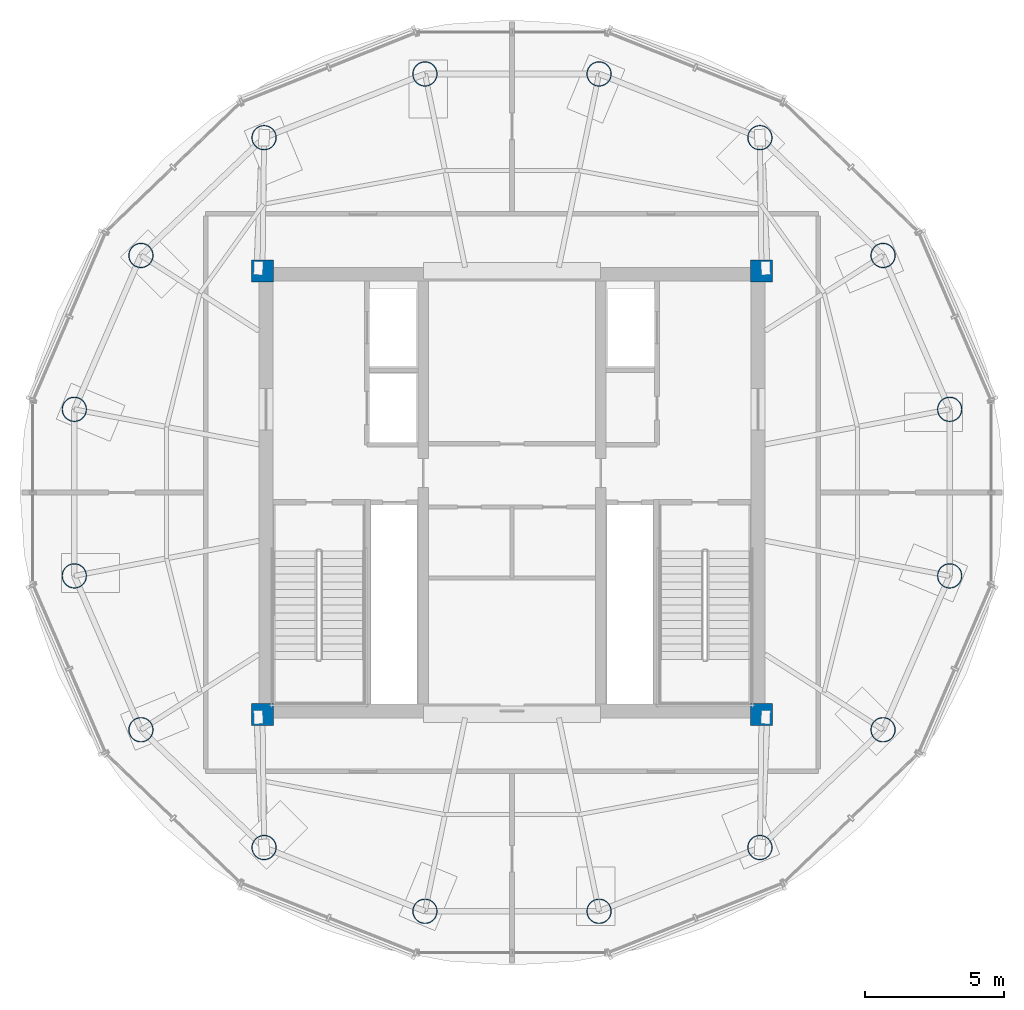
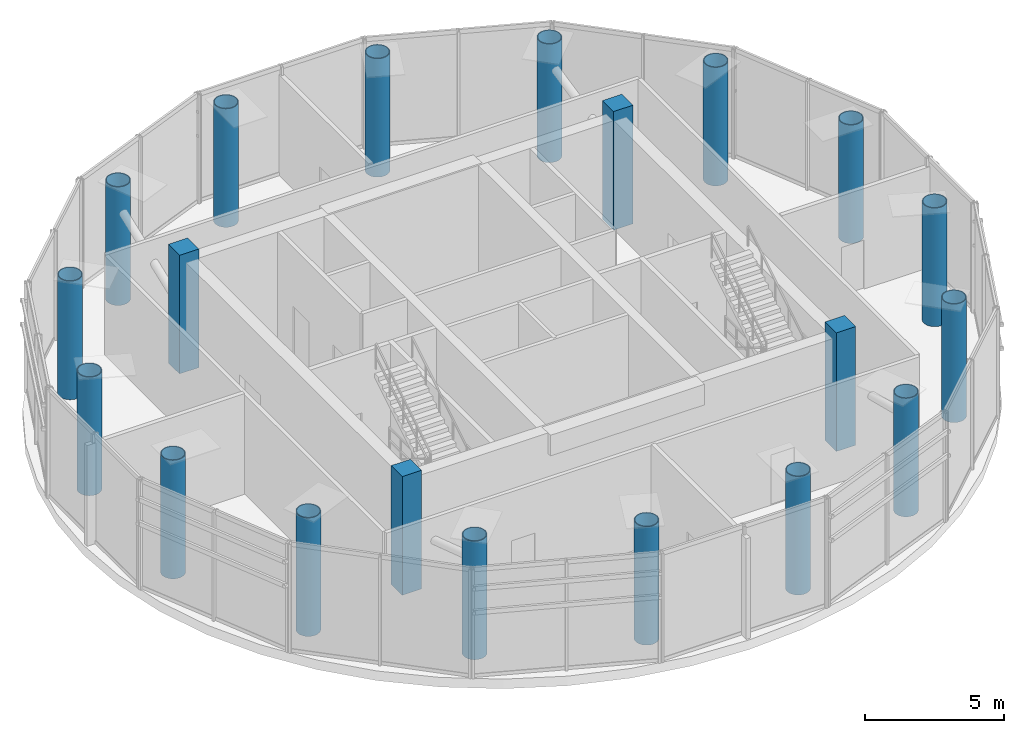
# One storey, part 1 of 15: 20 columns.
"""IFC4 building model written with IfcOpenShell, lengths in metres."""

from ifc_helpers import new_model, si_unit, direction, frame, origin, origin_2d, place, context, subcontext, project, spatial, rectangle, hollow_circle, extrude, material, material_profile, profile_set, type_object, element, save


model = new_model("IFC4")

# Units and contexts
model_context = context("Model", 3, precision=1e-05, world=origin(), true_north=direction((-0.2419218956, 0.970295726276)))
body_context = subcontext(model_context, "Body", "Model", "MODEL_VIEW")
ifc_project = project(units=[si_unit("LENGTHUNIT", "METRE"), si_unit("AREAUNIT", "SQUARE_METRE"), si_unit("VOLUMEUNIT", "CUBIC_METRE"), si_unit("PLANEANGLEUNIT", "RADIAN"), si_unit("MASSUNIT", "GRAM", prefix="KILO")], contexts=[model_context])

# Site, building, storey
site_placement = place(None, origin())
site = spatial("IfcSite", under=ifc_project, at=site_placement, CompositionType="ELEMENT")
building_placement = place(site_placement, origin())
building = spatial("IfcBuilding", under=site, at=building_placement, Name="Cobrevalo Terracotta Tower", CompositionType="ELEMENT")
storey_placement = place(building_placement, frame((0.0, 0.0, 316.5)))
storey = spatial("IfcBuildingStorey", under=building, at=storey_placement, Name="L82", CompositionType="ELEMENT", Elevation=316.5)

# Columns
ifc_material_1 = material(Name="Steel S355", Category="steel")
ifc_material_profile_1 = material_profile(ifc_material_1, hollow_circle(Radius=0.449951171875, WallThickness=0.031982421875, at=origin_2d()), Name="CHS 900x32")
ifc_profile_set_1 = profile_set([ifc_material_profile_1], Name="Steel S355")
column_type_1 = type_object("IfcColumnType", Name="Structural Column CHS 900x32 (Steel S355)", PredefinedType="COLUMN", material=ifc_profile_set_1)
for number, where, z_axis, x_axis, name in (
    (1, (53.79052734375, 29.804443359375, 0.0), (0.0, 0.0, 1.0), (1.0, 0.0, 0.0), "L82 composite megacolumn MC01"),
    (2, (51.38671875, 35.355712890625, 0.0), (0.0, 0.0, 1.0), (1.0, 0.0, 0.0), "L82 composite megacolumn MC02"),
    (3, (46.944580078125, 39.604736328125, 0.0), (0.0, 0.0, 1.0), (1.0, 0.0, 0.0), "L82 composite megacolumn MC03"),
    (4, (41.140869140625, 41.904052734375, 0.0), (0.0, 0.0, 1.0), (1.0, 0.0, 0.0), "L82 composite megacolumn MC04"),
    (5, (34.859130859375, 41.904052734375, 0.0), (0.0, 0.0, 1.0), (1.0, 0.0, 0.0), "L82 composite megacolumn MC05"),
    (6, (29.055419921875, 39.604736328125, 0.0), (0.0, 0.0, 1.0), (1.0, 0.0, 0.0), "L82 composite megacolumn MC06"),
    (7, (24.61328125, 35.355712890625, 0.0), (0.0, 0.0, 1.0), (1.0, 0.0, 0.0), "L82 composite megacolumn MC07"),
    (8, (22.20947265625, 29.804443359375, 0.0), (0.0, 0.0, 1.0), (1.0, 0.0, 0.0), "L82 composite megacolumn MC08"),
    (9, (22.20947265625, 23.795654296875, 0.0), (0.0, 0.0, 1.0), (1.0, 0.0, 0.0), "L82 composite megacolumn MC09"),
    (10, (24.61328125, 18.244140625, 0.0), (0.0, 0.0, 1.0), (1.0, 0.0, 0.0), "L82 composite megacolumn MC10"),
    (11, (29.055419921875, 13.995361328125, 0.0), (0.0, 0.0, 1.0), (1.0, 0.0, 0.0), "L82 composite megacolumn MC11"),
    (12, (34.859130859375, 11.69580078125, 0.0), (0.0, 0.0, 1.0), (1.0, 0.0, 0.0), "L82 composite megacolumn MC12"),
    (13, (41.140869140625, 11.69580078125, 0.0), (0.0, 0.0, 1.0), (1.0, 0.0, 0.0), "L82 composite megacolumn MC13"),
    (14, (46.944580078125, 13.995361328125, 0.0), (0.0, 0.0, 1.0), (1.0, 0.0, 0.0), "L82 composite megacolumn MC14"),
    (15, (51.38671875, 18.244140625, 0.0), (0.0, 0.0, 1.0), (1.0, 0.0, 0.0), "L82 composite megacolumn MC15"),
    (16, (53.79052734375, 23.795654296875, 0.0), (0.0, 0.0, 1.0), (1.0, 0.0, 0.0), "L82 composite megacolumn MC16"),
):
    element("IfcColumn", number, at=place(storey_placement, frame(where, z_axis=z_axis, x_axis=x_axis)), inside=storey, type_object=column_type_1, Name=name, PredefinedType="COLUMN", context=body_context, shape_type="SweptSolid", body=[
        extrude(hollow_circle(Radius=0.449951171875, WallThickness=0.031982421875, at=origin_2d()), origin(), (0.0, 0.0, 1.0), 5.199951171875),
    ])
ifc_material_2 = material(Name="Concrete C50", Category="concrete")
ifc_material_profile_2 = material_profile(ifc_material_2, rectangle(XDim=0.800048828125, YDim=0.800048828125, at=origin_2d()), Name="RC COL 800x800")
ifc_profile_set_2 = profile_set([ifc_material_profile_2], Name="Concrete C50")
column_type_2 = type_object("IfcColumnType", Name="Structural Column RC COL 800x800 (Concrete C50)", PredefinedType="COLUMN", material=ifc_profile_set_2)
for number, where, z_axis, x_axis, name in (
    (17, (29.0, 18.800048828125, 0.0), (0.0, 0.0, 1.0), (1.0, 0.0, 0.0), "L82 core corner column CC1"),
    (18, (47.0, 18.800048828125, 0.0), (0.0, 0.0, 1.0), (1.0, 0.0, 0.0), "L82 core corner column CC2"),
    (19, (47.0, 34.800048828125, 0.0), (0.0, 0.0, 1.0), (1.0, 0.0, 0.0), "L82 core corner column CC3"),
    (20, (29.0, 34.800048828125, 0.0), (0.0, 0.0, 1.0), (1.0, 0.0, 0.0), "L82 core corner column CC4"),
):
    element("IfcColumn", number, at=place(storey_placement, frame(where, z_axis=z_axis, x_axis=x_axis)), inside=storey, type_object=column_type_2, Name=name, PredefinedType="COLUMN", context=body_context, shape_type="SweptSolid", body=[
        extrude(rectangle(XDim=0.800048828125, YDim=0.800048828125, at=origin_2d()), origin(), (0.0, 0.0, 1.0), 5.199951171875),
    ])

save(model, "model.ifc")
